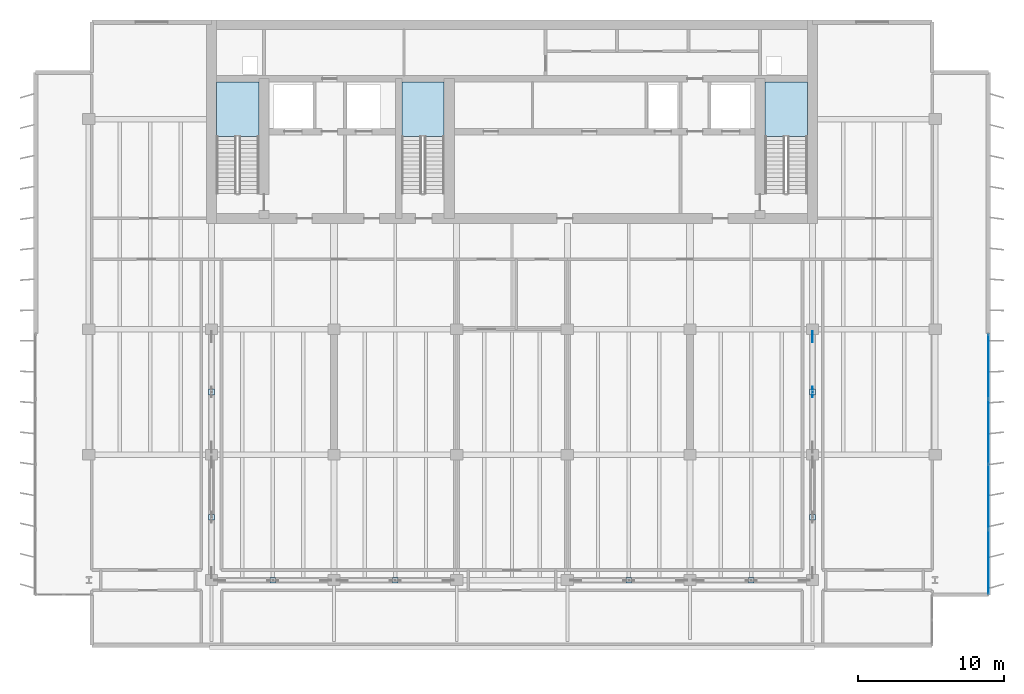
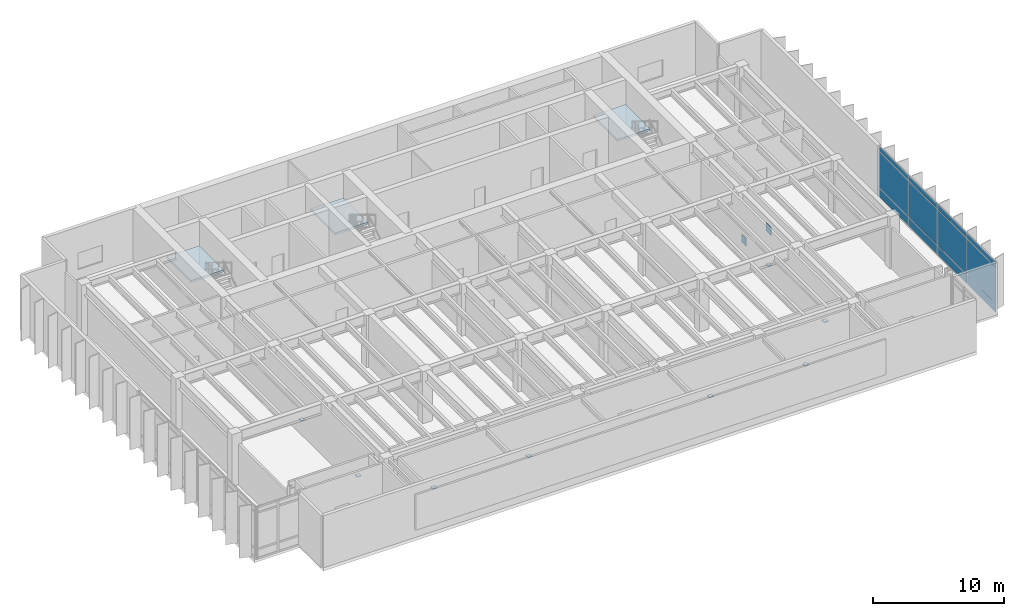
# One storey, part 13 of 23: 22 plates, 3 slabs, 4 elements without a shape of their own.
"""IFC4 building model written with IfcOpenShell, lengths in metres."""

import ifcopenshell
import ifcopenshell.guid

model = None  # the IFC model being written
_history = None  # IfcOwnerHistory: only IFC2X3 demands one
_inside = {}  # id of a spatial element -> (the spatial element, [elements in it])
_under = {}  # id of a project, library or spatial element -> (it, [spatial elements below it])
_declared = {}  # id of a project -> (the project, [libraries it declares])
_typed = {}  # id of a type object -> (the type object, [elements of that type])
_made_of = {}  # id of a material, layer set ... -> (it, [elements and type objects made of it])


def new_model(schema):
    """Start an empty IFC model of exactly this schema.

    Asked for "IFC4X3", IfcOpenShell would pick the latest addendum, in which some entities
    have other attributes; the version numbers below select the first issue.
    IFC2X3 requires an IfcOwnerHistory on every rooted entity: one is made here for all.
    """
    global model, _history
    if schema == "IFC4X3":
        model = ifcopenshell.file(schema_version=(4, 3, 0, 0))
    else:
        model = ifcopenshell.file(schema=schema)
    _inside.clear()
    _under.clear()
    _declared.clear()
    _typed.clear()
    _made_of.clear()
    _history = None
    if model.schema == "IFC2X3":
        org = make("IfcOrganization", Name="unknown")
        user = make(
            "IfcPersonAndOrganization",
            ThePerson=make("IfcPerson", FamilyName="unknown"),
            TheOrganization=org,
        )
        app = make(
            "IfcApplication",
            ApplicationDeveloper=org,
            Version="unknown",
            ApplicationFullName="unknown",
            ApplicationIdentifier="unknown",
        )
        _history = make(
            "IfcOwnerHistory",
            OwningUser=user,
            OwningApplication=app,
            ChangeAction="ADDED",
            CreationDate=0,
        )
    return model


def make(cls, **values):
    """One entity of the class cls with the attributes given. An attribute that is None is left unset."""
    return model.create_entity(
        cls, **{name: value for name, value in values.items() if value is not None}
    )


def rooted(cls, **values):
    """An entity with a GlobalId (a new one), such as an element, a storey or a relation."""
    return make(cls, GlobalId=ifcopenshell.guid.new(), OwnerHistory=_history, **values)


def si_unit(unit_type, name, prefix=None):
    """IfcSIUnit, for example si_unit("LENGTHUNIT", "METRE", prefix="MILLI")."""
    return make("IfcSIUnit", UnitType=unit_type, Prefix=prefix, Name=name)


def assignment(units):
    """IfcUnitAssignment: the units of a project."""
    return None if units is None else make("IfcUnitAssignment", Units=units)


def point(xyz):
    """IfcCartesianPoint."""
    return None if xyz is None else make("IfcCartesianPoint", Coordinates=xyz)


def direction(xyz):
    """IfcDirection."""
    return None if xyz is None else make("IfcDirection", DirectionRatios=xyz)


def frame(location, z_axis=None, x_axis=None):
    """IfcAxis2Placement3D, a coordinate frame: its origin and axes. An axis left out is left unset."""
    return make(
        "IfcAxis2Placement3D",
        Location=point(location),
        Axis=direction(z_axis),
        RefDirection=direction(x_axis),
    )


def frame_2d(location, x_axis=None):
    """IfcAxis2Placement2D, a coordinate frame in the plane: its origin and x axis."""
    return make(
        "IfcAxis2Placement2D", Location=point(location), RefDirection=direction(x_axis)
    )


def origin():
    """The frame at (0, 0, 0) with its axes left unset."""
    return frame((0.0, 0.0, 0.0))


def origin_2d():
    """The frame at (0, 0) in the plane with its x axis left unset."""
    return frame_2d((0.0, 0.0))


def place(relative_to, where):
    """IfcLocalPlacement: puts the frame where relative to a parent placement (None: the world)."""
    return make(
        "IfcLocalPlacement", PlacementRelTo=relative_to, RelativePlacement=where
    )


def context(
    kind, dimensions, precision=None, world=None, true_north=None, identifier=None
):
    """IfcGeometricRepresentationContext, for example the 3D "Model" context."""
    return make(
        "IfcGeometricRepresentationContext",
        ContextIdentifier=identifier,
        ContextType=kind,
        CoordinateSpaceDimension=dimensions,
        Precision=precision,
        WorldCoordinateSystem=world,
        TrueNorth=true_north,
    )


def subcontext(parent, identifier, kind, view, scale=None):
    """IfcGeometricRepresentationSubContext, for example "Body" below "Model"."""
    return make(
        "IfcGeometricRepresentationSubContext",
        ContextIdentifier=identifier,
        ContextType=kind,
        ParentContext=parent,
        TargetScale=scale,
        TargetView=view,
    )


def project(units=None, contexts=None):
    """IfcProject with its units and contexts."""
    return rooted(
        "IfcProject",
        Name="project",
        RepresentationContexts=contexts,
        UnitsInContext=assignment(units),
    )


def spatial(cls, under=None, at=None, **own):
    """A site, building, storey or space (cls), placed at a placement, below another one or the project."""
    s = rooted(cls, ObjectPlacement=at, **own)
    if under is not None:
        _under.setdefault(under.id(), (under, []))[1].append(s)
    return s


def polyline(points):
    """IfcPolyline through the points."""
    return make("IfcPolyline", Points=[point(p) for p in points])


def profile(cls, at=None, kind="AREA", **sizes):
    """A parametric profile (cls). Its sizes go by their IFC names, for example OverallWidth=200.0."""
    return make(cls, ProfileType=kind, Position=at, **sizes)


def rectangle(**sizes):
    """IfcRectangleProfileDef."""
    return profile("IfcRectangleProfileDef", **sizes)


def outline(outer, holes=None, kind="AREA"):
    """IfcArbitraryClosedProfileDef: a profile drawn as a closed curve; with holes, ...WithVoids."""
    if holes is None:
        return make("IfcArbitraryClosedProfileDef", ProfileType=kind, OuterCurve=outer)
    return make(
        "IfcArbitraryProfileDefWithVoids",
        ProfileType=kind,
        OuterCurve=outer,
        InnerCurves=holes,
    )


def extrude(swept, where, along, depth):
    """IfcExtrudedAreaSolid: the profile swept, set in the frame where, extruded along a direction by depth."""
    return make(
        "IfcExtrudedAreaSolid",
        SweptArea=swept,
        Position=where,
        ExtrudedDirection=direction(along),
        Depth=depth,
    )


def shape(context_of_items, identifier, shape_type, items):
    """IfcShapeRepresentation: the items that make up one representation, for example the "Body"."""
    return make(
        "IfcShapeRepresentation",
        ContextOfItems=context_of_items,
        RepresentationIdentifier=identifier,
        RepresentationType=shape_type,
        Items=items,
    )


def material(Name=None, Category=None):
    """IfcMaterial."""
    return make("IfcMaterial", Name=Name, Category=Category)


def layer(
    of_material, thickness, ventilated=None, Name=None, Category=None, Priority=None
):
    """IfcMaterialLayer: one layer of a wall or slab, of a material (None: an air gap)."""
    return make(
        "IfcMaterialLayer",
        Material=of_material,
        LayerThickness=thickness,
        IsVentilated=ventilated,
        Name=Name,
        Category=Category,
        Priority=Priority,
    )


def layer_set(layers, Name=None):
    """IfcMaterialLayerSet."""
    return make("IfcMaterialLayerSet", MaterialLayers=layers, LayerSetName=Name)


def made_of(thing, what):
    """Note that an element or type object is made of a material, layer set ...; save() writes the relation."""
    if what is not None:
        _made_of.setdefault(what.id(), (what, []))[1].append(thing)
    return thing


def type_object(cls, material=None, **own):
    """A type object (cls), such as IfcWallType, which elements share."""
    return made_of(rooted(cls, **own), material)


def element(
    cls,
    number,
    at=None,
    inside=None,
    cuts=None,
    type_object=None,
    material=None,
    context=None,
    identifier="Body",
    shape_type=None,
    held_by="IfcProductDefinitionShape",
    body=None,
    shapes=None,
    **own,
):
    """One element of the class cls, such as IfcWall. Its Tag is "e" and its number.

    at: its placement. inside: the storey or other place that contains it. cuts: it is an
    opening in that element (IfcRelVoidsElement). A single representation is given by context,
    identifier, shape_type and body (its items); several are given by shapes. held_by: the class
    of the entity that holds the representations. save() writes the other relations.
    """
    e = rooted(cls, Tag="e%d" % number, ObjectPlacement=at, **own)
    if body is not None:
        shapes = [shape(context, identifier, shape_type, body)]
    if shapes is not None:
        e.Representation = make(held_by, Representations=shapes)
    if inside is not None:
        _inside.setdefault(inside.id(), (inside, []))[1].append(e)
    if cuts is not None:
        rooted(
            "IfcRelVoidsElement", RelatingBuildingElement=cuts, RelatedOpeningElement=e
        )
    if type_object is not None:
        _typed.setdefault(type_object.id(), (type_object, []))[1].append(e)
    return made_of(e, material)


def aggregate(whole, parts):
    """IfcRelAggregates: a whole, such as a stair, and the parts it consists of."""
    return rooted("IfcRelAggregates", RelatingObject=whole, RelatedObjects=parts)


def save(model, path):
    """Write the relations noted so far, then the file.

    IfcRelAggregates (storeys below a building ...), IfcRelContainedInSpatialStructure (elements
    in a storey), IfcRelDefinesByType, IfcRelAssociatesMaterial and IfcRelDeclares: one each for
    every whole, place, type object, material and project.
    """
    for whole, parts in _under.values():
        aggregate(whole, parts)
    for where, things in _inside.values():
        rooted(
            "IfcRelContainedInSpatialStructure",
            RelatedElements=things,
            RelatingStructure=where,
        )
    for kind, things in _typed.values():
        rooted("IfcRelDefinesByType", RelatedObjects=things, RelatingType=kind)
    for what, things in _made_of.values():
        rooted("IfcRelAssociatesMaterial", RelatedObjects=things, RelatingMaterial=what)
    for by, libraries in _declared.values():
        rooted("IfcRelDeclares", RelatingContext=by, RelatedDefinitions=libraries)
    model.write(path)


model = new_model("IFC4")

# Units and contexts
model_context = context("Model", 3, precision=1e-05, world=origin(), true_north=direction((0.0, 1.0)))
body_context = subcontext(model_context, "Body", "Model", "MODEL_VIEW")
ifc_project = project(units=[si_unit("LENGTHUNIT", "METRE"), si_unit("AREAUNIT", "SQUARE_METRE"), si_unit("VOLUMEUNIT", "CUBIC_METRE"), si_unit("PLANEANGLEUNIT", "RADIAN"), si_unit("MASSUNIT", "GRAM", prefix="KILO")], contexts=[model_context])

# Site, building, storey
site_placement = place(None, origin())
site = spatial("IfcSite", under=ifc_project, at=site_placement, CompositionType="ELEMENT")
building_placement = place(site_placement, origin())
building = spatial("IfcBuilding", under=site, at=building_placement, Name="Caelmar Bay Residences", CompositionType="ELEMENT")
storey_placement = place(building_placement, frame((0.0, 0.0, 221.39990234375)))
storey = spatial("IfcBuildingStorey", under=building, at=storey_placement, Name="L62", CompositionType="ELEMENT", Elevation=221.39990234375)

# Curtain wall, plates
ifc_material_1 = material(Name="Anodised bronze aluminium 6063-T6 and laminated glass", Category="aluminium")
ifc_layer_1 = layer(ifc_material_1, 0.179931640625)
ifc_layer_set_1 = layer_set([ifc_layer_1], Name="Anodised bronze aluminium 6063-T6 and laminated glass")
curtain_wall_type = type_object("IfcCurtainWallType", Name="CW4-Z3", PredefinedType="NOTDEFINED", material=ifc_layer_set_1)
curtain_wall_placement = place(storey_placement, origin())
curtain_wall = element("IfcCurtainWall", 1, at=curtain_wall_placement, inside=storey, type_object=curtain_wall_type, Name="CW4 curtain wall L62", PredefinedType="NOTDEFINED")
ifc_material_2 = material(Name="Bronze-tinted laminated low-E hurricane glass 28 mm", Category="glass")
ifc_layer_2 = layer(ifc_material_2, 0.028076171875)
ifc_layer_set_2 = layer_set([ifc_layer_2], Name="Bronze-tinted laminated low-E hurricane glass 28 mm")
plate_type_1 = type_object("IfcPlateType", Name="CWP-GLZ28", PredefinedType="CURTAIN_PANEL", material=ifc_layer_set_2)
plate_1_placement = place(storey_placement, frame((71.550048828125, 26.842529296875, 0.080078125), z_axis=(0.0, 0.0, 1.0), x_axis=(0.0, -1.0, 0.0)))
plate_1 = element("IfcPlate", 2, at=plate_1_placement, type_object=plate_type_1, Name="CW4 panel 1.1", PredefinedType="CURTAIN_PANEL", context=body_context, shape_type="SweptSolid", body=[
    extrude(rectangle(XDim=4.35498046875, YDim=0.028076171875, at=origin_2d()), origin(), (0.0, 0.0, 1.0), 0.780029296875),
])
plate_2_placement = place(storey_placement, frame((71.550048828125, 26.842529296875, 0.93994140625), z_axis=(0.0, 0.0, 1.0), x_axis=(0.0, -1.0, 0.0)))
plate_2 = element("IfcPlate", 3, at=plate_2_placement, type_object=plate_type_1, Name="CW4 panel 1.2", PredefinedType="CURTAIN_PANEL", context=body_context, shape_type="SweptSolid", body=[
    extrude(rectangle(XDim=4.35498046875, YDim=0.028076171875, at=origin_2d()), origin(), (0.0, 0.0, 1.0), 3.320068359375),
])
plate_3_placement = place(storey_placement, frame((71.550048828125, 26.842529296875, 4.34033203125), z_axis=(0.0, 0.0, 1.0), x_axis=(0.0, -1.0, 0.0)))
plate_3 = element("IfcPlate", 4, at=plate_3_placement, type_object=plate_type_1, Name="CW4 panel 1.3", PredefinedType="CURTAIN_PANEL", context=body_context, shape_type="SweptSolid", body=[
    extrude(rectangle(XDim=4.35498046875, YDim=0.028076171875, at=origin_2d()), origin(), (0.0, 0.0, 1.0), 0.429931640625),
])
plate_4_placement = place(storey_placement, frame((71.550048828125, 22.387451171875, 0.080078125), z_axis=(0.0, 0.0, 1.0), x_axis=(0.0, -1.0, 0.0)))
plate_4 = element("IfcPlate", 5, at=plate_4_placement, type_object=plate_type_1, Name="CW4 panel 2.1", PredefinedType="CURTAIN_PANEL", context=body_context, shape_type="SweptSolid", body=[
    extrude(rectangle(XDim=4.39501953125, YDim=0.028076171875, at=origin_2d()), origin(), (0.0, 0.0, 1.0), 0.780029296875),
])
plate_5_placement = place(storey_placement, frame((71.550048828125, 22.387451171875, 0.93994140625), z_axis=(0.0, 0.0, 1.0), x_axis=(0.0, -1.0, 0.0)))
plate_5 = element("IfcPlate", 6, at=plate_5_placement, type_object=plate_type_1, Name="CW4 panel 2.2", PredefinedType="CURTAIN_PANEL", context=body_context, shape_type="SweptSolid", body=[
    extrude(rectangle(XDim=4.39501953125, YDim=0.028076171875, at=origin_2d()), origin(), (0.0, 0.0, 1.0), 3.320068359375),
])
plate_6_placement = place(storey_placement, frame((71.550048828125, 22.387451171875, 4.34033203125), z_axis=(0.0, 0.0, 1.0), x_axis=(0.0, -1.0, 0.0)))
plate_6 = element("IfcPlate", 7, at=plate_6_placement, type_object=plate_type_1, Name="CW4 panel 2.3", PredefinedType="CURTAIN_PANEL", context=body_context, shape_type="SweptSolid", body=[
    extrude(rectangle(XDim=4.39501953125, YDim=0.028076171875, at=origin_2d()), origin(), (0.0, 0.0, 1.0), 0.429931640625),
])
plate_7_placement = place(storey_placement, frame((71.550048828125, 17.91259765625, 0.080078125), z_axis=(0.0, 0.0, 1.0), x_axis=(0.0, -1.0, 0.0)))
plate_7 = element("IfcPlate", 8, at=plate_7_placement, type_object=plate_type_1, Name="CW4 panel 3.1", PredefinedType="CURTAIN_PANEL", context=body_context, shape_type="SweptSolid", body=[
    extrude(rectangle(XDim=4.39501953125, YDim=0.028076171875, at=origin_2d()), origin(), (0.0, 0.0, 1.0), 0.780029296875),
])
plate_8_placement = place(storey_placement, frame((71.550048828125, 17.91259765625, 0.93994140625), z_axis=(0.0, 0.0, 1.0), x_axis=(0.0, -1.0, 0.0)))
plate_8 = element("IfcPlate", 9, at=plate_8_placement, type_object=plate_type_1, Name="CW4 panel 3.2", PredefinedType="CURTAIN_PANEL", context=body_context, shape_type="SweptSolid", body=[
    extrude(rectangle(XDim=4.39501953125, YDim=0.028076171875, at=origin_2d()), origin(), (0.0, 0.0, 1.0), 3.320068359375),
])
plate_9_placement = place(storey_placement, frame((71.550048828125, 17.91259765625, 4.34033203125), z_axis=(0.0, 0.0, 1.0), x_axis=(0.0, -1.0, 0.0)))
plate_9 = element("IfcPlate", 10, at=plate_9_placement, type_object=plate_type_1, Name="CW4 panel 3.3", PredefinedType="CURTAIN_PANEL", context=body_context, shape_type="SweptSolid", body=[
    extrude(rectangle(XDim=4.39501953125, YDim=0.028076171875, at=origin_2d()), origin(), (0.0, 0.0, 1.0), 0.429931640625),
])
plate_10_placement = place(storey_placement, frame((71.550048828125, 13.45751953125, 0.080078125), z_axis=(0.0, 0.0, 1.0), x_axis=(0.0, -1.0, 0.0)))
plate_10 = element("IfcPlate", 11, at=plate_10_placement, type_object=plate_type_1, Name="CW4 panel 4.1", PredefinedType="CURTAIN_PANEL", context=body_context, shape_type="SweptSolid", body=[
    extrude(rectangle(XDim=4.35498046875, YDim=0.028076171875, at=origin_2d()), origin(), (0.0, 0.0, 1.0), 0.780029296875),
])
plate_11_placement = place(storey_placement, frame((71.550048828125, 13.45751953125, 0.93994140625), z_axis=(0.0, 0.0, 1.0), x_axis=(0.0, -1.0, 0.0)))
plate_11 = element("IfcPlate", 12, at=plate_11_placement, type_object=plate_type_1, Name="CW4 panel 4.2", PredefinedType="CURTAIN_PANEL", context=body_context, shape_type="SweptSolid", body=[
    extrude(rectangle(XDim=4.35498046875, YDim=0.028076171875, at=origin_2d()), origin(), (0.0, 0.0, 1.0), 3.320068359375),
])
plate_12_placement = place(storey_placement, frame((71.550048828125, 13.45751953125, 4.34033203125), z_axis=(0.0, 0.0, 1.0), x_axis=(0.0, -1.0, 0.0)))
plate_12 = element("IfcPlate", 13, at=plate_12_placement, type_object=plate_type_1, Name="CW4 panel 4.3", PredefinedType="CURTAIN_PANEL", context=body_context, shape_type="SweptSolid", body=[
    extrude(rectangle(XDim=4.35498046875, YDim=0.028076171875, at=origin_2d()), origin(), (0.0, 0.0, 1.0), 0.429931640625),
])
aggregate(curtain_wall, [plate_1, plate_2, plate_3, plate_4, plate_5, plate_6, plate_7, plate_8, plate_9, plate_10, plate_11, plate_12])

# Plates
ifc_material_3 = material(Name="Steel ASTM A572 Grade 50", Category="steel")
ifc_layer_3 = layer(ifc_material_3, 0.044921875)
ifc_layer_set_3 = layer_set([ifc_layer_3], Name="Steel ASTM A572 Grade 50")
plate_type_2 = type_object("IfcPlateType", Name="PLT-CAP-45", PredefinedType="USERDEFINED", material=ifc_layer_set_3)
for number, where, z_axis, x_axis, name in (
    (14, (18.300048828125, 16.5, 0.3505859375), (0.0, 0.0, 1.0), (1.0, 0.0, 0.0), "L62 Hollow-Section End-Cap Plate PLT-OUT-L62-01B"),
    (15, (18.300048828125, 25.10009765625, 0.3505859375), (0.0, 0.0, 1.0), (1.0, 0.0, 0.0), "L62 Hollow-Section End-Cap Plate PLT-OUT-L62-02B"),
    (16, (59.5, 16.5, 0.3505859375), (0.0, 0.0, 1.0), (1.0, 0.0, 0.0), "L62 Hollow-Section End-Cap Plate PLT-OUT-L62-03B"),
    (17, (59.5, 25.10009765625, 0.3505859375), (0.0, 0.0, 1.0), (1.0, 0.0, 0.0), "L62 Hollow-Section End-Cap Plate PLT-OUT-L62-04B"),
    (18, (22.5, 12.199951171875, 0.3505859375), (0.0, 0.0, 1.0), (1.0, 0.0, 0.0), "L62 Hollow-Section End-Cap Plate PLT-BLT-L62-01B"),
    (19, (30.89990234375, 12.199951171875, 0.3505859375), (0.0, 0.0, 1.0), (1.0, 0.0, 0.0), "L62 Hollow-Section End-Cap Plate PLT-BLT-L62-02B"),
    (20, (46.89990234375, 12.199951171875, 0.3505859375), (0.0, 0.0, 1.0), (1.0, 0.0, 0.0), "L62 Hollow-Section End-Cap Plate PLT-BLT-L62-03B"),
    (21, (55.300048828125, 12.199951171875, 0.3505859375), (0.0, 0.0, 1.0), (1.0, 0.0, 0.0), "L62 Hollow-Section End-Cap Plate PLT-BLT-L62-04B"),
):
    element("IfcPlate", number, at=place(storey_placement, frame(where, z_axis=z_axis, x_axis=x_axis)), inside=storey, type_object=plate_type_2, Name=name, ObjectType="CAP_PLATE", PredefinedType="USERDEFINED", context=body_context, shape_type="SweptSolid", body=[
        extrude(rectangle(XDim=0.3798828125, YDim=0.3798828125, at=origin_2d()), origin(), (0.0, 0.0, 1.0), 0.044921875),
    ])
ifc_layer_4 = layer(ifc_material_3, 0.050048828125)
ifc_layer_set_4 = layer_set([ifc_layer_4], Name="Steel ASTM A572 Grade 50")
plate_type_3 = type_object("IfcPlateType", Name="PLT-GUS-50", PredefinedType="USERDEFINED", material=ifc_layer_set_4)
for number, where, z_axis, x_axis, name in (
    (22, (59.5, 28.89501953125, 0.005126953125), (0.0, 0.0, 1.0), (0.0, 1.0, 0.0), "L62 Structural Node Gusset Plate PLT-OUT-L62-04N"),
    (23, (59.5, 25.10009765625, 3.30908203125), (0.0, 0.0, 1.0), (0.0, 1.0, 0.0), "L62 Structural Node Gusset Plate PLT-OUT-L62-04T"),
):
    element("IfcPlate", number, at=place(storey_placement, frame(where, z_axis=z_axis, x_axis=x_axis)), inside=storey, type_object=plate_type_3, Name=name, ObjectType="GUSSET_PLATE", PredefinedType="USERDEFINED", context=body_context, shape_type="SweptSolid", body=[
        extrude(rectangle(XDim=0.75, YDim=0.050048828125, at=origin_2d()), origin(), (0.0, 0.0, 1.0), 0.75),
    ])

# Stair, slab
ifc_material_4 = material(Name="Concrete f'c 40 MPa (6,000 psi)", Category="concrete")
stair_type = type_object("IfcStairType", Name="ST-TAL-170", PredefinedType="HALF_TURN_STAIR", material=ifc_material_4)
stair_1_placement = place(storey_placement, origin())
stair_1 = element("IfcStair", 24, at=stair_1_placement, inside=storey, type_object=stair_type, Name="L62 West Smokeproof Exit Stair ST1", PredefinedType="HALF_TURN_STAIR")
ifc_layer_5 = layer(ifc_material_4, 0.199951171875)
ifc_layer_set_5 = layer_set([ifc_layer_5], Name="Concrete f'c 40 MPa (6,000 psi)")
slab_type = type_object("IfcSlabType", Name="SLB-LND-200", PredefinedType="LANDING", material=ifc_layer_set_5)
slab_1_placement = place(storey_placement, frame((0.0, 0.0, 2.35009765625)))
slab_1 = element("IfcSlab", 25, at=slab_1_placement, type_object=slab_type, Name="ST1 landing 1", PredefinedType="LANDING", context=body_context, shape_type="SweptSolid", body=[
    extrude(outline(polyline([(21.550048828125, 42.6201171875), (21.550048828125, 46.35009765625), (18.64990234375, 46.35009765625), (18.64990234375, 42.6201171875), (21.550048828125, 42.6201171875)])), origin(), (0.0, 0.0, 1.0), 0.199951171875),
])
aggregate(stair_1, [slab_1])

stair_2_placement = place(storey_placement, origin())
stair_2 = element("IfcStair", 26, at=stair_2_placement, inside=storey, type_object=stair_type, Name="L62 East Smokeproof Exit Stair ST2", PredefinedType="HALF_TURN_STAIR")
slab_2_placement = place(storey_placement, frame((0.0, 0.0, 2.35009765625)))
slab_2 = element("IfcSlab", 27, at=slab_2_placement, type_object=slab_type, Name="ST2 landing 1", PredefinedType="LANDING", context=body_context, shape_type="SweptSolid", body=[
    extrude(outline(polyline([(59.14990234375, 42.6201171875), (59.14990234375, 46.35009765625), (56.25, 46.35009765625), (56.25, 42.6201171875), (59.14990234375, 42.6201171875)])), origin(), (0.0, 0.0, 1.0), 0.199951171875),
])
aggregate(stair_2, [slab_2])

stair_3_placement = place(storey_placement, origin())
stair_3 = element("IfcStair", 28, at=stair_3_placement, inside=storey, type_object=stair_type, Name="L62 Central Smokeproof Exit Stair ST3", PredefinedType="HALF_TURN_STAIR")
slab_3_placement = place(storey_placement, frame((0.0, 0.0, 2.35009765625)))
slab_3 = element("IfcSlab", 29, at=slab_3_placement, type_object=slab_type, Name="ST3 landing 1", PredefinedType="LANDING", context=body_context, shape_type="SweptSolid", body=[
    extrude(outline(polyline([(34.25, 42.6201171875), (34.25, 46.35009765625), (31.35009765625, 46.35009765625), (31.35009765625, 42.6201171875), (34.25, 42.6201171875)])), origin(), (0.0, 0.0, 1.0), 0.199951171875),
])
aggregate(stair_3, [slab_3])

save(model, "model.ifc")
